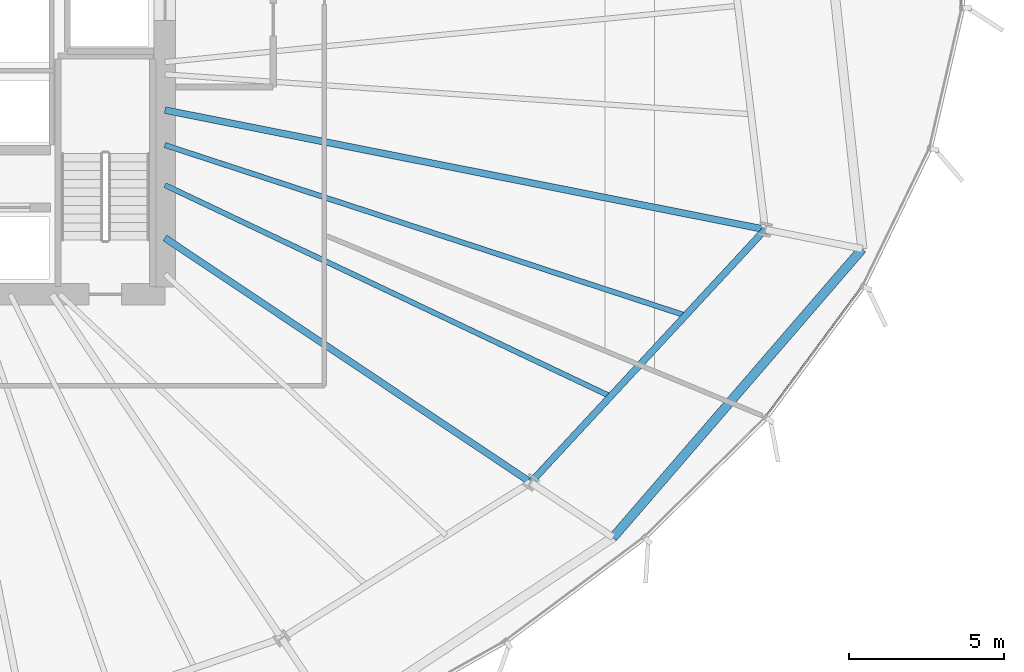
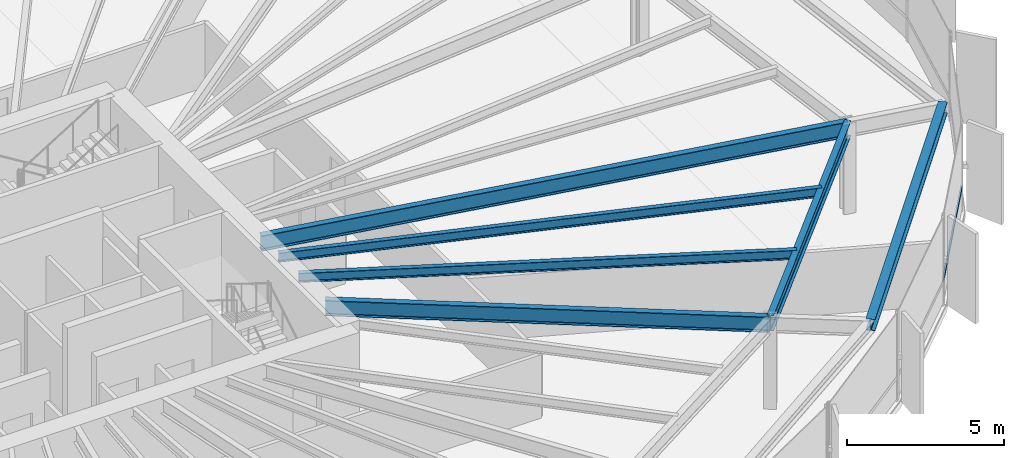
# One storey, part 13 of 35: 6 beams, 1 member, 1 element without a shape of its own.
"""IFC4 building model written with IfcOpenShell, lengths in metres."""

from ifc_helpers import new_model, si_unit, direction, frame, origin, origin_2d, place, context, subcontext, project, spatial, hollow_rectangle, i_section, extrude, source, transform, mapped, material, layer, layer_set, material_profile, profile_set, type_object, element, aggregate, save


model = new_model("IFC4")

# Units and contexts
model_context = context("Model", 3, precision=1e-05, world=origin(), true_north=direction((0.0, 1.0)))
body_context = subcontext(model_context, "Body", "Model", "MODEL_VIEW")
ifc_project = project(units=[si_unit("LENGTHUNIT", "METRE"), si_unit("AREAUNIT", "SQUARE_METRE"), si_unit("VOLUMEUNIT", "CUBIC_METRE"), si_unit("PLANEANGLEUNIT", "RADIAN"), si_unit("MASSUNIT", "GRAM", prefix="KILO"), si_unit("THERMODYNAMICTEMPERATUREUNIT", "KELVIN")], contexts=[model_context])

# Site, building, storey
site_placement = place(None, origin())
site = spatial("IfcSite", under=ifc_project, at=site_placement, CompositionType="ELEMENT")
building_placement = place(site_placement, origin())
building = spatial("IfcBuilding", under=site, at=building_placement, Name="Kethvar Cultural Tower", CompositionType="ELEMENT")
storey_placement = place(building_placement, frame((0.0, 0.0, 71.39990234375)))
storey = spatial("IfcBuildingStorey", under=building, at=storey_placement, Name="L17", CompositionType="ELEMENT", Elevation=71.39990234375)

# Beams
ifc_material_1 = material(Name="Steel S355J2", Category="steel")
ifc_material_profile_1 = material_profile(ifc_material_1, i_section(OverallWidth=0.219970703125, OverallDepth=0.60009765625, WebThickness=0.011962890625, FlangeThickness=0.01904296875, FilletRadius=0.02392578125, at=origin_2d()), Name="Steel S355J2 — IPE600")
ifc_profile_set_1 = profile_set([ifc_material_profile_1], Name="Steel S355J2 — IPE600")
beam_type_1 = type_object("IfcBeamType", Name="BM-IPE600", PredefinedType="BEAM", material=ifc_profile_set_1)
shared_shape_1 = source(origin(), body_context, "Body", "SweptSolid", [
    extrude(i_section(OverallWidth=0.219970703125, OverallDepth=0.60009765625, WebThickness=0.011962890625, FlangeThickness=0.01904296875, FilletRadius=0.02392578125, at=origin_2d()), origin(), (0.0, 0.0, 1.0), 14.2138671875),
])
beam_1_placement = place(storey_placement, frame((55.60009765625, 21.920166015625, 3.238037109375), z_axis=(0.831463197362, -0.555579833537, 0.0), x_axis=(0.555579833537, 0.831463197362, 0.0)))
element("IfcBeam", 1, at=beam_1_placement, inside=storey, type_object=beam_type_1, Name="L17 Primary Radial Beam RB-15", PredefinedType="BEAM", context=body_context, shape_type="MappedRepresentation", body=[
    mapped(shared_shape_1, transform((0.0, 0.0, 0.0), scale=1.0)),
])
shared_shape_2 = source(origin(), body_context, "Body", "SweptSolid", [
    extrude(i_section(OverallWidth=0.219970703125, OverallDepth=0.60009765625, WebThickness=0.011962890625, FlangeThickness=0.01904296875, FilletRadius=0.02392578125, at=origin_2d()), origin(), (0.0, 0.0, 1.0), 19.77099609375),
])
beam_2_placement = place(storey_placement, frame((55.60009765625, 26.049560546875, 3.238037109375), z_axis=(0.980784840197, -0.195092535068, 0.0), x_axis=(0.195092535068, 0.980784840197, 0.0)))
element("IfcBeam", 2, at=beam_2_placement, inside=storey, type_object=beam_type_1, Name="L17 Primary Radial Beam RB-16", PredefinedType="BEAM", context=body_context, shape_type="MappedRepresentation", body=[
    mapped(shared_shape_2, transform((0.0, 0.0, 0.0), scale=1.0)),
])
shared_shape_3 = source(origin(), body_context, "Body", "SweptSolid", [
    extrude(i_section(OverallWidth=0.219970703125, OverallDepth=0.60009765625, WebThickness=0.011962890625, FlangeThickness=0.01904296875, FilletRadius=0.02392578125, at=origin_2d()), origin(), (0.0, 0.0, 1.0), 11.13916015625),
])
beam_3_placement = place(storey_placement, frame((67.41845703125, 14.023193359375, 3.238037109375), z_axis=(0.679827924457, 0.73337166098, 0.0), x_axis=(-0.73337166098, 0.679827924457, 0.0)))
element("IfcBeam", 3, at=beam_3_placement, inside=storey, type_object=beam_type_1, Name="L17 Column Ring Tie Beam CR-15", PredefinedType="BEAM", context=body_context, shape_type="MappedRepresentation", body=[
    mapped(shared_shape_3, transform((0.0, 0.0, 0.0), scale=1.0)),
])
ifc_material_profile_2 = material_profile(ifc_material_1, i_section(OverallWidth=0.169921875, OverallDepth=0.360107421875, WebThickness=0.008056640625, FlangeThickness=0.0126953125, FilletRadius=0.01806640625, at=origin_2d()), Name="Steel S355J2 — IPE360")
ifc_profile_set_2 = profile_set([ifc_material_profile_2], Name="Steel S355J2 — IPE360")
beam_type_2 = type_object("IfcBeamType", Name="BM-J360", PredefinedType="JOIST", material=ifc_profile_set_2)
shared_shape_4 = source(origin(), body_context, "Body", "SweptSolid", [
    extrude(i_section(OverallWidth=0.169921875, OverallDepth=0.360107421875, WebThickness=0.008056640625, FlangeThickness=0.0126953125, FilletRadius=0.01806640625, at=origin_2d()), origin(), (0.0, 0.0, 1.0), 15.9296875),
])
beam_4_placement = place(storey_placement, frame((55.60009765625, 23.626708984375, 3.358154296875), z_axis=(0.903539576646, -0.428504648089, 0.0), x_axis=(0.428504648089, 0.903539576646, 0.0)))
element("IfcBeam", 4, at=beam_4_placement, inside=storey, type_object=beam_type_2, Name="L17 Composite Floor Joist J-15A", PredefinedType="JOIST", context=body_context, shape_type="MappedRepresentation", body=[
    mapped(shared_shape_4, transform((0.0, 0.0, 0.0), scale=1.0)),
])
shared_shape_5 = source(origin(), body_context, "Body", "SweptSolid", [
    extrude(i_section(OverallWidth=0.169921875, OverallDepth=0.360107421875, WebThickness=0.008056640625, FlangeThickness=0.0126953125, FilletRadius=0.01806640625, at=origin_2d()), origin(), (0.0, 0.0, 1.0), 17.6943359375),
])
beam_5_placement = place(storey_placement, frame((55.60009765625, 24.91943359375, 3.358154296875), z_axis=(0.950378958587, -0.311094575773, 0.0), x_axis=(0.311094575773, 0.950378958587, 0.0)))
element("IfcBeam", 5, at=beam_5_placement, inside=storey, type_object=beam_type_2, Name="L17 Composite Floor Joist J-15B", PredefinedType="JOIST", context=body_context, shape_type="MappedRepresentation", body=[
    mapped(shared_shape_5, transform((0.0, 0.0, 0.0), scale=1.0)),
])
ifc_material_profile_3 = material_profile(ifc_material_1, i_section(OverallWidth=0.300048828125, OverallDepth=0.449951171875, WebThickness=0.013916015625, FlangeThickness=0.02587890625, FilletRadius=0.027099609375, at=origin_2d()), Name="Steel S355J2 — HEB450")
ifc_profile_set_3 = profile_set([ifc_material_profile_3], Name="Steel S355J2 — HEB450")
beam_type_3 = type_object("IfcBeamType", Name="BM-SP450", PredefinedType="SPANDREL", material=ifc_profile_set_3)
shared_shape_6 = source(origin(), body_context, "Body", "SweptSolid", [
    extrude(i_section(OverallWidth=0.300048828125, OverallDepth=0.449951171875, WebThickness=0.013916015625, FlangeThickness=0.02587890625, FilletRadius=0.027099609375, at=origin_2d()), origin(), (0.0, 0.0, 1.0), 12.3173828125),
])
beam_6_placement = place(storey_placement, frame((70.0791015625, 12.24560546875, 3.31298828125), z_axis=(0.653586327045, 0.756851975686, 0.0), x_axis=(-0.756851975686, 0.653586327045, 0.0)))
element("IfcBeam", 6, at=beam_6_placement, inside=storey, type_object=beam_type_3, Name="L17 Perimeter Spandrel Beam SP-15", PredefinedType="SPANDREL", context=body_context, shape_type="MappedRepresentation", body=[
    mapped(shared_shape_6, transform((0.0, 0.0, 0.0), scale=1.0)),
])

# Curtain wall, member
ifc_material_2 = material(Name="Aluminium 6063-T6", Category="aluminium")
ifc_layer = layer(ifc_material_2, 0.179931640625, Name="Aluminium 6063-T6", Category="aluminium")
ifc_layer_set = layer_set([ifc_layer], Name="Aluminium 6063-T6 (180 mm)")
curtain_wall_type = type_object("IfcCurtainWallType", Name="CW-SYS-02-Z1", PredefinedType="NOTDEFINED", material=ifc_layer_set)
curtain_wall_placement = place(storey_placement, origin())
curtain_wall = element("IfcCurtainWall", 7, at=curtain_wall_placement, inside=storey, type_object=curtain_wall_type, Name="L17 Curtain Wall Run 06", PredefinedType="NOTDEFINED")
ifc_material_profile_4 = material_profile(ifc_material_2, hollow_rectangle(XDim=0.054931640625, YDim=0.1201171875, WallThickness=0.00390625, at=origin_2d()), Name="Aluminium 6063-T6 — RHS120x55x4")
ifc_profile_set_4 = profile_set([ifc_material_profile_4], Name="Aluminium 6063-T6 — RHS120x55x4")
member_type = type_object("IfcMemberType", Name="CW-SYS-02-Z1-TRN", PredefinedType="USERDEFINED", material=ifc_profile_set_4)
shared_shape_7 = source(origin(), body_context, "Body", "SweptSolid", [
    extrude(hollow_rectangle(XDim=0.054931640625, YDim=0.1201171875, WallThickness=0.00390625, at=origin_2d()), origin(), (0.0, 0.0, 1.0), 5.193603515625),
])
member_placement = place(storey_placement, frame((75.0263671875, 16.173583984375, 0.9501953125), z_axis=(0.594276063375, 0.80426112706, 0.0), x_axis=(-0.80426112706, 0.594276063375, 0.0)))
member = element("IfcMember", 8, at=member_placement, type_object=member_type, Name="CW-L17-R06 Transom 3", ObjectType="TRANSOM", PredefinedType="USERDEFINED", context=body_context, shape_type="MappedRepresentation", body=[
    mapped(shared_shape_7, transform((0.0, 0.0, 0.0), scale=1.0)),
])
aggregate(curtain_wall, [member])

save(model, "model.ifc")
